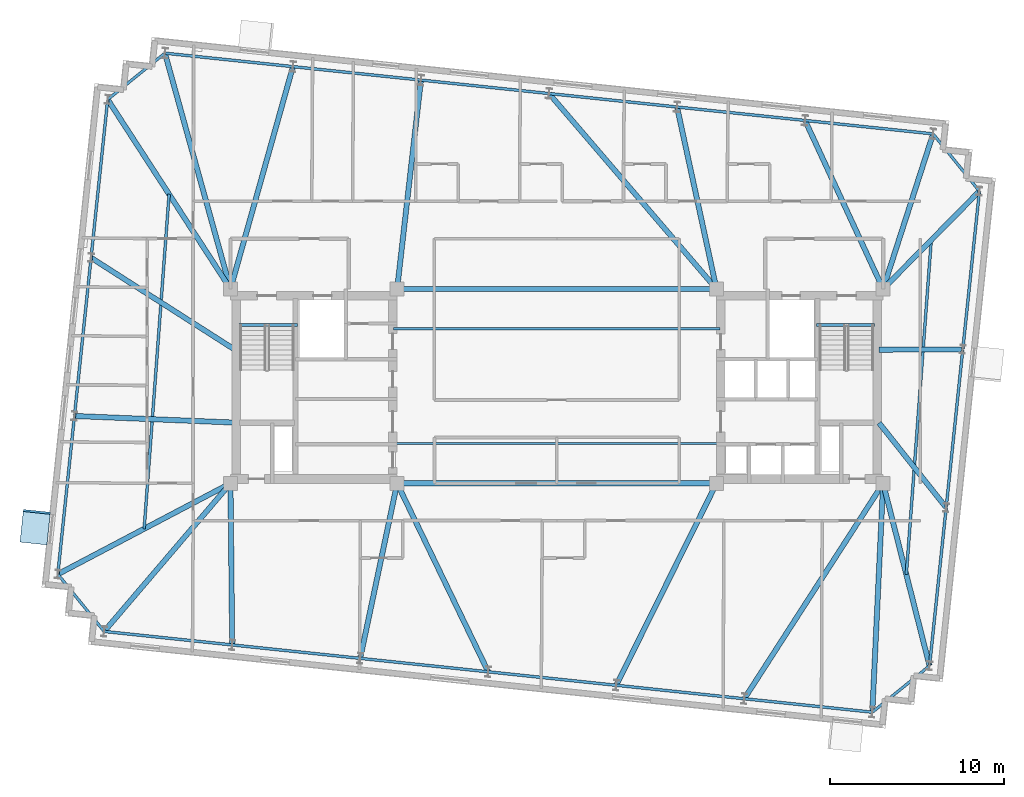
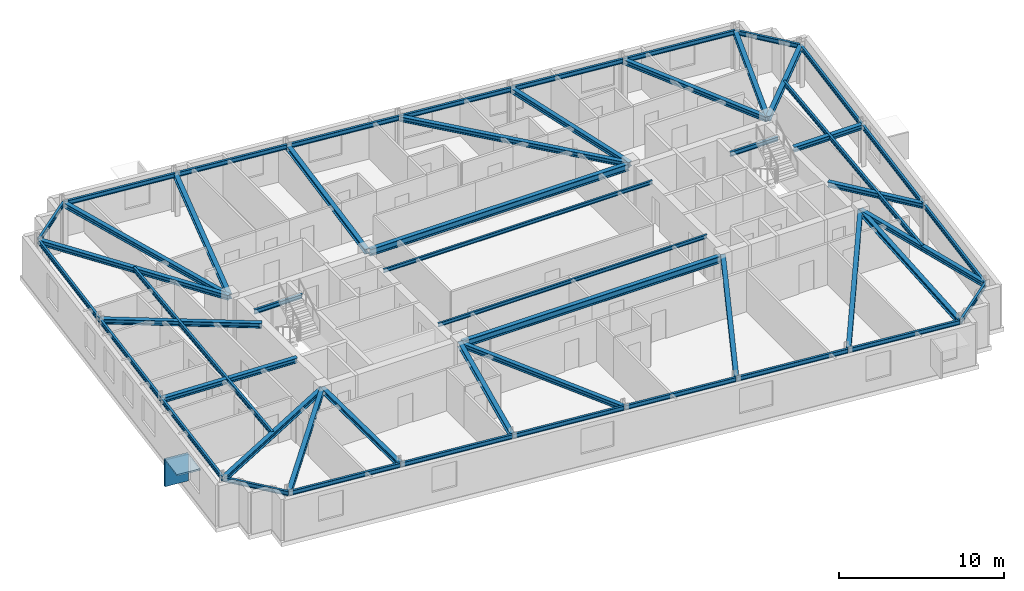
# One storey, part 4 of 13: 52 beams, 2 plates.
"""IFC4 building model written with IfcOpenShell, lengths in metres."""

from ifc_helpers import new_model, si_unit, direction, frame, origin, origin_2d, place, context, subcontext, project, spatial, rectangle, i_section, extrude, material, layer, layer_set, material_profile, profile_set, type_object, element, save


model = new_model("IFC4")

# Units and contexts
model_context = context("Model", 3, precision=1e-05, world=origin(), true_north=direction((0.0, 1.0)))
body_context = subcontext(model_context, "Body", "Model", "MODEL_VIEW")
ifc_project = project(units=[si_unit("LENGTHUNIT", "METRE"), si_unit("AREAUNIT", "SQUARE_METRE"), si_unit("VOLUMEUNIT", "CUBIC_METRE"), si_unit("PLANEANGLEUNIT", "RADIAN"), si_unit("MASSUNIT", "GRAM", prefix="KILO")], contexts=[model_context])

# Site, building, storey
site_placement = place(None, origin())
site = spatial("IfcSite", under=ifc_project, at=site_placement, CompositionType="ELEMENT")
building_placement = place(site_placement, origin())
building = spatial("IfcBuilding", under=site, at=building_placement, Name="Qobustan Lattice House", CompositionType="ELEMENT")
storey_placement = place(building_placement, frame((0.0, 0.0, 186.35009765625)))
storey = spatial("IfcBuildingStorey", under=building, at=storey_placement, Name="L52", CompositionType="ELEMENT", Elevation=186.35009765625)

# Beams
ifc_material_1 = material(Name="Steel S355", Category="steel")
ifc_material_profile_1 = material_profile(ifc_material_1, i_section(OverallWidth=0.300048828125, OverallDepth=0.5, WebThickness=0.014404296875, FlangeThickness=0.028076171875, FilletRadius=0.027099609375, at=origin_2d()), Name="HEB500")
ifc_profile_set_1 = profile_set([ifc_material_profile_1], Name="Steel S355")
beam_type_1 = type_object("IfcBeamType", Name="BM-CG-HEB500", PredefinedType="USERDEFINED", material=ifc_profile_set_1)
for number, where, z_axis, x_axis, name in (
    (1, (-9.050048828125, -5.60009765625, 2.789794921875), (1.0, 0.0, 0.0), (0.0, 1.0, 0.0), "L52 core spine girder CG-CS"),
    (2, (-9.050048828125, 5.60009765625, 2.789794921875), (1.0, 0.0, 0.0), (0.0, 1.0, 0.0), "L52 core spine girder CG-CN"),
):
    element("IfcBeam", number, at=place(storey_placement, frame(where, z_axis=z_axis, x_axis=x_axis)), inside=storey, type_object=beam_type_1, Name=name, ObjectType="GIRDER", PredefinedType="USERDEFINED", context=body_context, shape_type="SweptSolid", body=[
        extrude(i_section(OverallWidth=0.300048828125, OverallDepth=0.5, WebThickness=0.014404296875, FlangeThickness=0.028076171875, FilletRadius=0.027099609375, at=origin_2d()), origin(), (0.0, 0.0, 1.0), 18.10009765625),
    ])
ifc_material_2 = material(Name="Steel S355", Category="steel")
ifc_material_profile_2 = material_profile(ifc_material_2, i_section(OverallWidth=0.300048828125, OverallDepth=0.360107421875, WebThickness=0.012451171875, FlangeThickness=0.0224609375, FilletRadius=0.027099609375, at=origin_2d()), Name="HEB360")
ifc_profile_set_2 = profile_set([ifc_material_profile_2], Name="Steel S355")
beam_type_2 = type_object("IfcBeamType", Name="BM-FLG-HEB360", PredefinedType="USERDEFINED", material=ifc_profile_set_2)
beam_1_placement = place(storey_placement, frame((-26.062744140625, -14.113525390625, 2.85986328125), z_axis=(0.649006911642, 0.760782510736, 0.0), x_axis=(-0.760782510736, 0.649006911642, 0.0)))
element("IfcBeam", 3, at=beam_1_placement, inside=storey, type_object=beam_type_2, Name="L52 primary floor girder RAD-S1W", ObjectType="GIRDER", PredefinedType="USERDEFINED", context=body_context, shape_type="SweptSolid", body=[
    extrude(i_section(OverallWidth=0.300048828125, OverallDepth=0.360107421875, WebThickness=0.012451171875, FlangeThickness=0.0224609375, FilletRadius=0.027099609375, at=origin_2d()), origin(), (0.0, 0.0, 1.0), 11.16552734375),
])
beam_2_placement = place(storey_placement, frame((-18.703125, -14.8828125, 2.85986328125), z_axis=(-0.010442468578, 0.999945475939, 0.0), x_axis=(-0.999945475939, -0.010442468578, 0.0)))
element("IfcBeam", 4, at=beam_2_placement, inside=storey, type_object=beam_type_2, Name="L52 primary floor girder RAD-S2", ObjectType="GIRDER", PredefinedType="USERDEFINED", context=body_context, shape_type="SweptSolid", body=[
    extrude(i_section(OverallWidth=0.300048828125, OverallDepth=0.360107421875, WebThickness=0.012451171875, FlangeThickness=0.0224609375, FilletRadius=0.027099609375, at=origin_2d()), origin(), (0.0, 0.0, 1.0), 9.25830078125),
])
beam_3_placement = place(storey_placement, frame((-11.32177734375, -15.658447265625, 2.85986328125), z_axis=(0.206411213198, 0.978465334627, 0.0), x_axis=(-0.978465334627, 0.206411213198, 0.0)))
element("IfcBeam", 5, at=beam_3_placement, inside=storey, type_object=beam_type_2, Name="L52 primary floor girder RAD-S3", ObjectType="GIRDER", PredefinedType="USERDEFINED", context=body_context, shape_type="SweptSolid", body=[
    extrude(i_section(OverallWidth=0.300048828125, OverallDepth=0.360107421875, WebThickness=0.012451171875, FlangeThickness=0.0224609375, FilletRadius=0.027099609375, at=origin_2d()), origin(), (0.0, 0.0, 1.0), 10.2548828125),
])
beam_4_placement = place(storey_placement, frame((-3.9619140625, -16.435791015625, 2.85986328125), z_axis=(-0.435229353302, 0.900319615483, 0.0), x_axis=(-0.900319615483, -0.435229353302, 0.0)))
element("IfcBeam", 6, at=beam_4_placement, inside=storey, type_object=beam_type_2, Name="L52 primary floor girder RAD-S4", ObjectType="GIRDER", PredefinedType="USERDEFINED", context=body_context, shape_type="SweptSolid", body=[
    extrude(i_section(OverallWidth=0.300048828125, OverallDepth=0.360107421875, WebThickness=0.012451171875, FlangeThickness=0.0224609375, FilletRadius=0.027099609375, at=origin_2d()), origin(), (0.0, 0.0, 1.0), 12.010498046875),
])
beam_5_placement = place(storey_placement, frame((3.436279296875, -17.211181640625, 2.85986328125), z_axis=(0.444630337125, 0.895714163843, 0.0), x_axis=(-0.895714163843, 0.444630337125, 0.0)))
element("IfcBeam", 7, at=beam_5_placement, inside=storey, type_object=beam_type_2, Name="L52 primary floor girder RAD-S5", ObjectType="GIRDER", PredefinedType="USERDEFINED", context=body_context, shape_type="SweptSolid", body=[
    extrude(i_section(OverallWidth=0.300048828125, OverallDepth=0.360107421875, WebThickness=0.012451171875, FlangeThickness=0.0224609375, FilletRadius=0.027099609375, at=origin_2d()), origin(), (0.0, 0.0, 1.0), 12.938232421875),
])
beam_6_placement = place(storey_placement, frame((10.814697265625, -17.98779296875, 2.85986328125), z_axis=(0.541810491961, 0.840500678644, 0.0), x_axis=(-0.840500678644, 0.541810491961, 0.0)))
element("IfcBeam", 8, at=beam_6_placement, inside=storey, type_object=beam_type_2, Name="L52 primary floor girder RAD-S6", ObjectType="GIRDER", PredefinedType="USERDEFINED", context=body_context, shape_type="SweptSolid", body=[
    extrude(i_section(OverallWidth=0.300048828125, OverallDepth=0.360107421875, WebThickness=0.012451171875, FlangeThickness=0.0224609375, FilletRadius=0.027099609375, at=origin_2d()), origin(), (0.0, 0.0, 1.0), 14.71337890625),
])
beam_7_placement = place(storey_placement, frame((18.178466796875, -18.759033203125, 2.85986328125), z_axis=(0.047180517312, 0.998886379318, 0.0), x_axis=(-0.998886379318, 0.047180517312, 0.0)))
element("IfcBeam", 9, at=beam_7_placement, inside=storey, type_object=beam_type_2, Name="L52 primary floor girder RAD-S7E", ObjectType="GIRDER", PredefinedType="USERDEFINED", context=body_context, shape_type="SweptSolid", body=[
    extrude(i_section(OverallWidth=0.300048828125, OverallDepth=0.360107421875, WebThickness=0.012451171875, FlangeThickness=0.0224609375, FilletRadius=0.027099609375, at=origin_2d()), origin(), (0.0, 0.0, 1.0), 13.148681640625),
])
beam_8_placement = place(storey_placement, frame((-22.570556640625, 19.159912109375, 2.85986328125), z_axis=(0.267904661715, -0.963445427739, 0.0), x_axis=(0.963445427739, 0.267904661715, 0.0)))
element("IfcBeam", 10, at=beam_8_placement, inside=storey, type_object=beam_type_2, Name="L52 primary floor girder RAD-N7W", ObjectType="GIRDER", PredefinedType="USERDEFINED", context=body_context, shape_type="SweptSolid", body=[
    extrude(i_section(OverallWidth=0.300048828125, OverallDepth=0.360107421875, WebThickness=0.012451171875, FlangeThickness=0.0224609375, FilletRadius=0.027099609375, at=origin_2d()), origin(), (0.0, 0.0, 1.0), 14.049560546875),
])
beam_9_placement = place(storey_placement, frame((-15.2080078125, 18.384521484375, 2.85986328125), z_axis=(-0.270487929903, -0.962723366174, 0.0), x_axis=(0.962723366174, -0.270487929903, 0.0)))
element("IfcBeam", 11, at=beam_9_placement, inside=storey, type_object=beam_type_2, Name="L52 primary floor girder RAD-N6", ObjectType="GIRDER", PredefinedType="USERDEFINED", context=body_context, shape_type="SweptSolid", body=[
    extrude(i_section(OverallWidth=0.300048828125, OverallDepth=0.360107421875, WebThickness=0.012451171875, FlangeThickness=0.0224609375, FilletRadius=0.027099609375, at=origin_2d()), origin(), (0.0, 0.0, 1.0), 13.254638671875),
])
beam_10_placement = place(storey_placement, frame((-7.827880859375, 17.608642578125, 2.85986328125), z_axis=(-0.11353003651, -0.993534564477, 0.0), x_axis=(0.993534564477, -0.11353003651, 0.0)))
element("IfcBeam", 12, at=beam_10_placement, inside=storey, type_object=beam_type_2, Name="L52 primary floor girder RAD-N5", ObjectType="GIRDER", PredefinedType="USERDEFINED", context=body_context, shape_type="SweptSolid", body=[
    extrude(i_section(OverallWidth=0.300048828125, OverallDepth=0.360107421875, WebThickness=0.012451171875, FlangeThickness=0.0224609375, FilletRadius=0.027099609375, at=origin_2d()), origin(), (0.0, 0.0, 1.0), 12.061767578125),
])
beam_11_placement = place(storey_placement, frame((-0.432861328125, 16.839111328125, 2.85986328125), z_axis=(0.650757358368, -0.759285756833, 0.0), x_axis=(0.759285756833, 0.650757358368, 0.0)))
element("IfcBeam", 13, at=beam_11_placement, inside=storey, type_object=beam_type_2, Name="L52 primary floor girder RAD-N4", ObjectType="GIRDER", PredefinedType="USERDEFINED", context=body_context, shape_type="SweptSolid", body=[
    extrude(i_section(OverallWidth=0.300048828125, OverallDepth=0.360107421875, WebThickness=0.012451171875, FlangeThickness=0.0224609375, FilletRadius=0.027099609375, at=origin_2d()), origin(), (0.0, 0.0, 1.0), 14.77734375),
])
beam_12_placement = place(storey_placement, frame((6.93212890625, 16.05859375, 2.85986328125), z_axis=(0.211908420044, -0.977289527988, 0.0), x_axis=(0.977289527988, 0.211908420044, 0.0)))
element("IfcBeam", 14, at=beam_12_placement, inside=storey, type_object=beam_type_2, Name="L52 primary floor girder RAD-N3", ObjectType="GIRDER", PredefinedType="USERDEFINED", context=body_context, shape_type="SweptSolid", body=[
    extrude(i_section(OverallWidth=0.300048828125, OverallDepth=0.360107421875, WebThickness=0.012451171875, FlangeThickness=0.0224609375, FilletRadius=0.027099609375, at=origin_2d()), origin(), (0.0, 0.0, 1.0), 10.676513671875),
])
beam_13_placement = place(storey_placement, frame((14.3134765625, 15.284912109375, 2.85986328125), z_axis=(0.420345924661, -0.907363931188, 0.0), x_axis=(0.907363931188, 0.420345924661, 0.0)))
element("IfcBeam", 15, at=beam_13_placement, inside=storey, type_object=beam_type_2, Name="L52 primary floor girder RAD-N2", ObjectType="GIRDER", PredefinedType="USERDEFINED", context=body_context, shape_type="SweptSolid", body=[
    extrude(i_section(OverallWidth=0.300048828125, OverallDepth=0.360107421875, WebThickness=0.012451171875, FlangeThickness=0.0224609375, FilletRadius=0.027099609375, at=origin_2d()), origin(), (0.0, 0.0, 1.0), 10.6484375),
])
beam_14_placement = place(storey_placement, frame((21.67138671875, 14.5087890625, 2.85986328125), z_axis=(-0.306773532579, -0.951782538035, 0.0), x_axis=(0.951782538035, -0.306773532579, 0.0)))
element("IfcBeam", 16, at=beam_14_placement, inside=storey, type_object=beam_type_2, Name="L52 primary floor girder RAD-N1E", ObjectType="GIRDER", PredefinedType="USERDEFINED", context=body_context, shape_type="SweptSolid", body=[
    extrude(i_section(OverallWidth=0.300048828125, OverallDepth=0.360107421875, WebThickness=0.012451171875, FlangeThickness=0.0224609375, FilletRadius=0.027099609375, at=origin_2d()), origin(), (0.0, 0.0, 1.0), 9.335205078125),
])
beam_15_placement = place(storey_placement, frame((-25.86083984375, 16.492919921875, 2.85986328125), z_axis=(0.543926170046, -0.839133077371, 0.0), x_axis=(0.839133077371, 0.543926170046, 0.0)))
element("IfcBeam", 17, at=beam_15_placement, inside=storey, type_object=beam_type_2, Name="L52 primary floor girder RAD-W1", ObjectType="GIRDER", PredefinedType="USERDEFINED", context=body_context, shape_type="SweptSolid", body=[
    extrude(i_section(OverallWidth=0.300048828125, OverallDepth=0.360107421875, WebThickness=0.012451171875, FlangeThickness=0.0224609375, FilletRadius=0.027099609375, at=origin_2d()), origin(), (0.0, 0.0, 1.0), 12.9560546875),
])
beam_16_placement = place(storey_placement, frame((-26.8115234375, 7.384033203125, 2.85986328125), z_axis=(0.842429105495, -0.538807203195, 0.0), x_axis=(0.538807203195, 0.842429105495, 0.0)))
element("IfcBeam", 18, at=beam_16_placement, inside=storey, type_object=beam_type_2, Name="L52 primary floor girder RAD-W2", ObjectType="GIRDER", PredefinedType="USERDEFINED", context=body_context, shape_type="SweptSolid", body=[
    extrude(i_section(OverallWidth=0.300048828125, OverallDepth=0.360107421875, WebThickness=0.012451171875, FlangeThickness=0.0224609375, FilletRadius=0.027099609375, at=origin_2d()), origin(), (0.0, 0.0, 1.0), 9.78173828125),
])
beam_17_placement = place(storey_placement, frame((-27.765869140625, -1.719970703125, 2.85986328125), z_axis=(0.999150190925, -0.041217665795, 0.0), x_axis=(0.041217665795, 0.999150190925, 0.0)))
element("IfcBeam", 19, at=beam_17_placement, inside=storey, type_object=beam_type_2, Name="L52 primary floor girder RAD-W3", ObjectType="GIRDER", PredefinedType="USERDEFINED", context=body_context, shape_type="SweptSolid", body=[
    extrude(i_section(OverallWidth=0.300048828125, OverallDepth=0.360107421875, WebThickness=0.012451171875, FlangeThickness=0.0224609375, FilletRadius=0.027099609375, at=origin_2d()), origin(), (0.0, 0.0, 1.0), 9.19873046875),
])
beam_18_placement = place(storey_placement, frame((-28.726806640625, -10.82373046875, 2.85986328125), z_axis=(0.884950868639, 0.465684399669, 0.0), x_axis=(-0.465684399669, 0.884950868639, 0.0)))
element("IfcBeam", 20, at=beam_18_placement, inside=storey, type_object=beam_type_2, Name="L52 primary floor girder RAD-W4", ObjectType="GIRDER", PredefinedType="USERDEFINED", context=body_context, shape_type="SweptSolid", body=[
    extrude(i_section(OverallWidth=0.300048828125, OverallDepth=0.360107421875, WebThickness=0.012451171875, FlangeThickness=0.0224609375, FilletRadius=0.027099609375, at=origin_2d()), origin(), (0.0, 0.0, 1.0), 11.1923828125),
])
beam_19_placement = place(storey_placement, frame((24.331298828125, 11.217529296875, 2.85986328125), z_axis=(-0.701633616284, -0.712537906712, 0.0), x_axis=(0.712537906712, -0.701633616284, 0.0)))
element("IfcBeam", 21, at=beam_19_placement, inside=storey, type_object=beam_type_2, Name="L52 primary floor girder RAD-E4", ObjectType="GIRDER", PredefinedType="USERDEFINED", context=body_context, shape_type="SweptSolid", body=[
    extrude(i_section(OverallWidth=0.300048828125, OverallDepth=0.360107421875, WebThickness=0.012451171875, FlangeThickness=0.0224609375, FilletRadius=0.027099609375, at=origin_2d()), origin(), (0.0, 0.0, 1.0), 7.858642578125),
])
beam_20_placement = place(storey_placement, frame((23.36572265625, 2.118896484375, 2.85986328125), z_axis=(-0.999992301331, -0.003923936564, 0.0), x_axis=(0.003923936564, -0.999992301331, 0.0)))
element("IfcBeam", 22, at=beam_20_placement, inside=storey, type_object=beam_type_2, Name="L52 primary floor girder RAD-E3", ObjectType="GIRDER", PredefinedType="USERDEFINED", context=body_context, shape_type="SweptSolid", body=[
    extrude(i_section(OverallWidth=0.300048828125, OverallDepth=0.360107421875, WebThickness=0.012451171875, FlangeThickness=0.0224609375, FilletRadius=0.027099609375, at=origin_2d()), origin(), (0.0, 0.0, 1.0), 4.790771484375),
])
beam_21_placement = place(storey_placement, frame((22.4169921875, -6.97802734375, 2.85986328125), z_axis=(-0.621231320857, 0.783627236629, 0.0), x_axis=(-0.783627236629, -0.621231320857, 0.0)))
element("IfcBeam", 23, at=beam_21_placement, inside=storey, type_object=beam_type_2, Name="L52 primary floor girder RAD-E2", ObjectType="GIRDER", PredefinedType="USERDEFINED", context=body_context, shape_type="SweptSolid", body=[
    extrude(i_section(OverallWidth=0.300048828125, OverallDepth=0.360107421875, WebThickness=0.012451171875, FlangeThickness=0.0224609375, FilletRadius=0.027099609375, at=origin_2d()), origin(), (0.0, 0.0, 1.0), 6.199951171875),
])
beam_22_placement = place(storey_placement, frame((21.46826171875, -16.08984375, 2.85986328125), z_axis=(-0.246517911643, 0.969138235361, 0.0), x_axis=(-0.969138235361, -0.246517911643, 0.0)))
element("IfcBeam", 24, at=beam_22_placement, inside=storey, type_object=beam_type_2, Name="L52 primary floor girder RAD-E1", ObjectType="GIRDER", PredefinedType="USERDEFINED", context=body_context, shape_type="SweptSolid", body=[
    extrude(i_section(OverallWidth=0.300048828125, OverallDepth=0.360107421875, WebThickness=0.012451171875, FlangeThickness=0.0224609375, FilletRadius=0.027099609375, at=origin_2d()), origin(), (0.0, 0.0, 1.0), 10.798828125),
])
ifc_material_3 = material(Name="Steel S355", Category="steel")
ifc_material_profile_3 = material_profile(ifc_material_3, i_section(OverallWidth=0.135009765625, OverallDepth=0.27001953125, WebThickness=0.006591796875, FlangeThickness=0.01025390625, FilletRadius=0.014892578125, at=origin_2d()), Name="IPE270")
ifc_profile_set_3 = profile_set([ifc_material_profile_3], Name="Steel S355")
beam_type_3 = type_object("IfcBeamType", Name="BM-JST-IPE270", PredefinedType="JOIST", material=ifc_profile_set_3)
for number, where, z_axis, x_axis, name in (
    (25, (-9.39990234375, -3.300048828125, 2.90478515625), (1.0, 0.0, 0.0), (0.0, 1.0, 0.0), "L52 central span floor joist 1"),
    (26, (-9.39990234375, 3.300048828125, 2.90478515625), (1.0, 0.0, 0.0), (0.0, 1.0, 0.0), "L52 central span floor joist 2"),
):
    element("IfcBeam", number, at=place(storey_placement, frame(where, z_axis=z_axis, x_axis=x_axis)), inside=storey, type_object=beam_type_3, Name=name, PredefinedType="JOIST", context=body_context, shape_type="SweptSolid", body=[
        extrude(i_section(OverallWidth=0.135009765625, OverallDepth=0.27001953125, WebThickness=0.006591796875, FlangeThickness=0.01025390625, FilletRadius=0.014892578125, at=origin_2d()), origin(), (0.0, 0.0, 1.0), 18.7998046875),
    ])
ifc_material_4 = material(Name="Steel S355", Category="steel")
ifc_material_profile_4 = material_profile(ifc_material_4, i_section(OverallWidth=0.159912109375, OverallDepth=0.330078125, WebThickness=0.007568359375, FlangeThickness=0.011474609375, FilletRadius=0.01806640625, at=origin_2d()), Name="IPE330")
ifc_profile_set_4 = profile_set([ifc_material_profile_4], Name="Steel S355")
beam_type_4 = type_object("IfcBeamType", Name="BM-SEC-IPE330", PredefinedType="BEAM", material=ifc_profile_set_4)
beam_23_placement = place(storey_placement, frame((-22.337158203125, 11.056884765625, 2.875), z_axis=(-0.074361616657, -0.997231342251, 0.0), x_axis=(0.997231342251, -0.074361616657, 0.0)))
element("IfcBeam", 27, at=beam_23_placement, inside=storey, type_object=beam_type_4, Name="L52 west wing secondary beam", PredefinedType="BEAM", context=body_context, shape_type="SweptSolid", body=[
    extrude(i_section(OverallWidth=0.159912109375, OverallDepth=0.330078125, WebThickness=0.007568359375, FlangeThickness=0.011474609375, FilletRadius=0.01806640625, at=origin_2d()), origin(), (0.0, 0.0, 1.0), 19.327880859375),
])
beam_24_placement = place(storey_placement, frame((21.574462890625, 8.417724609375, 2.875), z_axis=(-0.074360679971, -0.997231412098, 0.0), x_axis=(0.997231412098, -0.074360679971, 0.0)))
element("IfcBeam", 28, at=beam_24_placement, inside=storey, type_object=beam_type_4, Name="L52 east wing secondary beam", PredefinedType="BEAM", context=body_context, shape_type="SweptSolid", body=[
    extrude(i_section(OverallWidth=0.159912109375, OverallDepth=0.330078125, WebThickness=0.007568359375, FlangeThickness=0.011474609375, FilletRadius=0.01806640625, at=origin_2d()), origin(), (0.0, 0.0, 1.0), 19.328125),
])
ifc_material_5 = material(Name="Steel S355", Category="steel")
ifc_material_profile_5 = material_profile(ifc_material_5, i_section(OverallWidth=0.159912109375, OverallDepth=0.330078125, WebThickness=0.007568359375, FlangeThickness=0.011474609375, FilletRadius=0.01806640625, at=origin_2d()), Name="IPE330")
ifc_profile_set_5 = profile_set([ifc_material_profile_5], Name="Steel S355")
beam_type_5 = type_object("IfcBeamType", Name="BM-SPD-IPE330", PredefinedType="SPANDREL", material=ifc_profile_set_5)
for number, where, z_axis, x_axis, name in (
    (29, (-18.300048828125, 3.52001953125, 2.875), (1.0, 0.0, 0.0), (0.0, 1.0, 0.0), "L52 west stair landing trimmer beam"),
    (30, (14.949951171875, 3.52001953125, 2.875), (1.0, 0.0, 0.0), (0.0, 1.0, 0.0), "L52 east stair landing trimmer beam"),
):
    element("IfcBeam", number, at=place(storey_placement, frame(where, z_axis=z_axis, x_axis=x_axis)), inside=storey, type_object=beam_type_5, Name=name, PredefinedType="SPANDREL", context=body_context, shape_type="SweptSolid", body=[
        extrude(i_section(OverallWidth=0.159912109375, OverallDepth=0.330078125, WebThickness=0.007568359375, FlangeThickness=0.011474609375, FilletRadius=0.01806640625, at=origin_2d()), origin(), (0.0, 0.0, 1.0), 3.35009765625),
    ])
beam_25_placement = place(storey_placement, frame((-26.05419921875, -14.135009765625, 2.875), z_axis=(0.99452214685, -0.104526070551, 0.0), x_axis=(0.104526070551, 0.99452214685, 0.0)))
element("IfcBeam", 31, at=beam_25_placement, inside=storey, type_object=beam_type_5, Name="L52 perimeter spandrel S1-S2", PredefinedType="SPANDREL", context=body_context, shape_type="SweptSolid", body=[
    extrude(i_section(OverallWidth=0.159912109375, OverallDepth=0.330078125, WebThickness=0.007568359375, FlangeThickness=0.011474609375, FilletRadius=0.01806640625, at=origin_2d()), origin(), (0.0, 0.0, 1.0), 7.36669921875),
])
for number, where, z_axis, x_axis, name in (
    (32, (-18.677978515625, -14.910400390625, 2.875), (0.994521784746, -0.104529515765, 0.0), (0.104529515765, 0.994521784746, 0.0), "L52 perimeter spandrel S2-S3"),
    (33, (-11.302001953125, -15.685546875, 2.875), (0.994521784746, -0.104529515765, 0.0), (0.104529515765, 0.994521784746, 0.0), "L52 perimeter spandrel S3-S4"),
):
    element("IfcBeam", number, at=place(storey_placement, frame(where, z_axis=z_axis, x_axis=x_axis)), inside=storey, type_object=beam_type_5, Name=name, PredefinedType="SPANDREL", context=body_context, shape_type="SweptSolid", body=[
        extrude(i_section(OverallWidth=0.159912109375, OverallDepth=0.330078125, WebThickness=0.007568359375, FlangeThickness=0.011474609375, FilletRadius=0.01806640625, at=origin_2d()), origin(), (0.0, 0.0, 1.0), 7.366455078125),
    ])
beam_26_placement = place(storey_placement, frame((-3.926025390625, -16.460693359375, 2.875), z_axis=(0.99451870122, -0.10455884909, 0.0), x_axis=(0.10455884909, 0.99451870122, 0.0)))
element("IfcBeam", 34, at=beam_26_placement, inside=storey, type_object=beam_type_5, Name="L52 perimeter spandrel S4-S5", PredefinedType="SPANDREL", context=body_context, shape_type="SweptSolid", body=[
    extrude(i_section(OverallWidth=0.159912109375, OverallDepth=0.330078125, WebThickness=0.007568359375, FlangeThickness=0.011474609375, FilletRadius=0.01806640625, at=origin_2d()), origin(), (0.0, 0.0, 1.0), 7.36669921875),
])
for number, where, z_axis, x_axis, name in (
    (35, (3.4501953125, -17.236083984375, 2.875), (0.994521784746, -0.104529515765, 0.0), (0.104529515765, 0.994521784746, 0.0), "L52 perimeter spandrel S5-S6"),
    (36, (10.826171875, -18.01123046875, 2.875), (0.99451833889, -0.104562295361, 0.0), (0.104562295361, 0.99451833889, 0.0), "L52 perimeter spandrel S6-S7"),
):
    element("IfcBeam", number, at=place(storey_placement, frame(where, z_axis=z_axis, x_axis=x_axis)), inside=storey, type_object=beam_type_5, Name=name, PredefinedType="SPANDREL", context=body_context, shape_type="SweptSolid", body=[
        extrude(i_section(OverallWidth=0.159912109375, OverallDepth=0.330078125, WebThickness=0.007568359375, FlangeThickness=0.011474609375, FilletRadius=0.01806640625, at=origin_2d()), origin(), (0.0, 0.0, 1.0), 7.366455078125),
    ])
beam_27_placement = place(storey_placement, frame((18.19677734375, -18.768310546875, 2.875), z_axis=(0.777128239225, 0.629342275554, 0.0), x_axis=(-0.629342275554, 0.777128239225, 0.0)))
element("IfcBeam", 37, at=beam_27_placement, inside=storey, type_object=beam_type_5, Name="L52 perimeter spandrel S7-E1", PredefinedType="SPANDREL", context=body_context, shape_type="SweptSolid", body=[
    extrude(i_section(OverallWidth=0.159912109375, OverallDepth=0.330078125, WebThickness=0.007568359375, FlangeThickness=0.011474609375, FilletRadius=0.01806640625, at=origin_2d()), origin(), (0.0, 0.0, 1.0), 4.192626953125),
])
for number, where, z_axis, x_axis, name in (
    (38, (21.47705078125, -16.089111328125, 2.875), (0.10452168293, 0.994522607987, 0.0), (-0.994522607987, 0.10452168293, 0.0), "L52 perimeter spandrel E1-E2"),
    (39, (22.435302734375, -6.97265625, 2.875), (0.10452168293, 0.994522607987, 0.0), (-0.994522607987, 0.10452168293, 0.0), "L52 perimeter spandrel E2-E3"),
    (40, (23.393310546875, 2.143798828125, 2.875), (0.10452168293, 0.994522607987, 0.0), (-0.994522607987, 0.10452168293, 0.0), "L52 perimeter spandrel E3-E4"),
):
    element("IfcBeam", number, at=place(storey_placement, frame(where, z_axis=z_axis, x_axis=x_axis)), inside=storey, type_object=beam_type_5, Name=name, PredefinedType="SPANDREL", context=body_context, shape_type="SweptSolid", body=[
        extrude(i_section(OverallWidth=0.159912109375, OverallDepth=0.330078125, WebThickness=0.007568359375, FlangeThickness=0.011474609375, FilletRadius=0.01806640625, at=origin_2d()), origin(), (0.0, 0.0, 1.0), 9.11669921875),
    ])
beam_28_placement = place(storey_placement, frame((24.333251953125, 11.254638671875, 2.875), z_axis=(-0.629313797654, 0.777151300637, 0.0), x_axis=(-0.777151300637, -0.629313797654, 0.0)))
element("IfcBeam", 41, at=beam_28_placement, inside=storey, type_object=beam_type_5, Name="L52 perimeter spandrel E4-N1", PredefinedType="SPANDREL", context=body_context, shape_type="SweptSolid", body=[
    extrude(i_section(OverallWidth=0.159912109375, OverallDepth=0.330078125, WebThickness=0.007568359375, FlangeThickness=0.011474609375, FilletRadius=0.01806640625, at=origin_2d()), origin(), (0.0, 0.0, 1.0), 4.19287109375),
])
for number, where, z_axis, x_axis, name in (
    (42, (21.654052734375, 14.53515625, 2.875), (-0.994521784746, 0.104529515765, 0.0), (-0.104529515765, -0.994521784746, 0.0), "L52 perimeter spandrel N1-N2"),
    (43, (14.278076171875, 15.310302734375, 2.875), (-0.994521784746, 0.104529515765, 0.0), (-0.104529515765, -0.994521784746, 0.0), "L52 perimeter spandrel N2-N3"),
):
    element("IfcBeam", number, at=place(storey_placement, frame(where, z_axis=z_axis, x_axis=x_axis)), inside=storey, type_object=beam_type_5, Name=name, PredefinedType="SPANDREL", context=body_context, shape_type="SweptSolid", body=[
        extrude(i_section(OverallWidth=0.159912109375, OverallDepth=0.330078125, WebThickness=0.007568359375, FlangeThickness=0.011474609375, FilletRadius=0.01806640625, at=origin_2d()), origin(), (0.0, 0.0, 1.0), 7.366455078125),
    ])
beam_29_placement = place(storey_placement, frame((6.902099609375, 16.085693359375, 2.875), z_axis=(-0.99452214685, 0.104526070551, 0.0), x_axis=(-0.104526070551, -0.99452214685, 0.0)))
element("IfcBeam", 44, at=beam_29_placement, inside=storey, type_object=beam_type_5, Name="L52 perimeter spandrel N3-N4", PredefinedType="SPANDREL", context=body_context, shape_type="SweptSolid", body=[
    extrude(i_section(OverallWidth=0.159912109375, OverallDepth=0.330078125, WebThickness=0.007568359375, FlangeThickness=0.011474609375, FilletRadius=0.01806640625, at=origin_2d()), origin(), (0.0, 0.0, 1.0), 7.36669921875),
])
for number, where, z_axis, x_axis, name in (
    (45, (-0.47412109375, 16.86083984375, 2.875), (-0.994521784746, 0.104529515765, 0.0), (-0.104529515765, -0.994521784746, 0.0), "L52 perimeter spandrel N4-N5"),
    (46, (-7.85009765625, 17.635986328125, 2.875), (-0.994521784746, 0.104529515765, 0.0), (-0.104529515765, -0.994521784746, 0.0), "L52 perimeter spandrel N5-N6"),
):
    element("IfcBeam", number, at=place(storey_placement, frame(where, z_axis=z_axis, x_axis=x_axis)), inside=storey, type_object=beam_type_5, Name=name, PredefinedType="SPANDREL", context=body_context, shape_type="SweptSolid", body=[
        extrude(i_section(OverallWidth=0.159912109375, OverallDepth=0.330078125, WebThickness=0.007568359375, FlangeThickness=0.011474609375, FilletRadius=0.01806640625, at=origin_2d()), origin(), (0.0, 0.0, 1.0), 7.366455078125),
    ])
beam_30_placement = place(storey_placement, frame((-15.22607421875, 18.411376953125, 2.875), z_axis=(-0.99452214685, 0.104526070551, 0.0), x_axis=(-0.104526070551, -0.99452214685, 0.0)))
element("IfcBeam", 47, at=beam_30_placement, inside=storey, type_object=beam_type_5, Name="L52 perimeter spandrel N6-N7", PredefinedType="SPANDREL", context=body_context, shape_type="SweptSolid", body=[
    extrude(i_section(OverallWidth=0.159912109375, OverallDepth=0.330078125, WebThickness=0.007568359375, FlangeThickness=0.011474609375, FilletRadius=0.01806640625, at=origin_2d()), origin(), (0.0, 0.0, 1.0), 7.36669921875),
])
beam_31_placement = place(storey_placement, frame((-22.5966796875, 19.168212890625, 2.875), z_axis=(-0.777156718239, -0.629307107299, 0.0), x_axis=(0.629307107299, -0.777156718239, 0.0)))
element("IfcBeam", 48, at=beam_31_placement, inside=storey, type_object=beam_type_5, Name="L52 perimeter spandrel N7-W1", PredefinedType="SPANDREL", context=body_context, shape_type="SweptSolid", body=[
    extrude(i_section(OverallWidth=0.159912109375, OverallDepth=0.330078125, WebThickness=0.007568359375, FlangeThickness=0.011474609375, FilletRadius=0.01806640625, at=origin_2d()), origin(), (0.0, 0.0, 1.0), 4.192626953125),
])
beam_32_placement = place(storey_placement, frame((-25.876953125, 16.489013671875, 2.875), z_axis=(-0.104550954592, -0.994519531178, 0.0), x_axis=(0.994519531178, -0.104550954592, 0.0)))
element("IfcBeam", 49, at=beam_32_placement, inside=storey, type_object=beam_type_5, Name="L52 perimeter spandrel W1-W2", PredefinedType="SPANDREL", context=body_context, shape_type="SweptSolid", body=[
    extrude(i_section(OverallWidth=0.159912109375, OverallDepth=0.330078125, WebThickness=0.007568359375, FlangeThickness=0.011474609375, FilletRadius=0.01806640625, at=origin_2d()), origin(), (0.0, 0.0, 1.0), 9.116455078125),
])
beam_33_placement = place(storey_placement, frame((-26.835205078125, 7.372802734375, 2.875), z_axis=(-0.104518899262, -0.994522900539, 0.0), x_axis=(0.994522900539, -0.104518899262, 0.0)))
element("IfcBeam", 50, at=beam_33_placement, inside=storey, type_object=beam_type_5, Name="L52 perimeter spandrel W2-W3", PredefinedType="SPANDREL", context=body_context, shape_type="SweptSolid", body=[
    extrude(i_section(OverallWidth=0.159912109375, OverallDepth=0.330078125, WebThickness=0.007568359375, FlangeThickness=0.011474609375, FilletRadius=0.01806640625, at=origin_2d()), origin(), (0.0, 0.0, 1.0), 9.116943359375),
])
beam_34_placement = place(storey_placement, frame((-27.79345703125, -1.743896484375, 2.875), z_axis=(-0.104524466745, -0.994522315412, 0.0), x_axis=(0.994522315412, -0.104524466745, 0.0)))
element("IfcBeam", 51, at=beam_34_placement, inside=storey, type_object=beam_type_5, Name="L52 perimeter spandrel W3-W4", PredefinedType="SPANDREL", context=body_context, shape_type="SweptSolid", body=[
    extrude(i_section(OverallWidth=0.159912109375, OverallDepth=0.330078125, WebThickness=0.007568359375, FlangeThickness=0.011474609375, FilletRadius=0.01806640625, at=origin_2d()), origin(), (0.0, 0.0, 1.0), 9.116455078125),
])
beam_35_placement = place(storey_placement, frame((-28.733154296875, -10.854736328125, 2.875), z_axis=(0.629307107299, -0.777156718239, 0.0), x_axis=(0.777156718239, 0.629307107299, 0.0)))
element("IfcBeam", 52, at=beam_35_placement, inside=storey, type_object=beam_type_5, Name="L52 perimeter spandrel W4-S1", PredefinedType="SPANDREL", context=body_context, shape_type="SweptSolid", body=[
    extrude(i_section(OverallWidth=0.159912109375, OverallDepth=0.330078125, WebThickness=0.007568359375, FlangeThickness=0.011474609375, FilletRadius=0.01806640625, at=origin_2d()), origin(), (0.0, 0.0, 1.0), 4.192626953125),
])

# Plates
ifc_material_6 = material(Name="Qobustan limestone GFRC", Category="masonry")
ifc_layer = layer(ifc_material_6, 0.1201171875)
ifc_layer_set = layer_set([ifc_layer], Name="Qobustan limestone GFRC")
plate_type = type_object("IfcPlateType", Name="SHD-HOOD-BROW", PredefinedType="USERDEFINED", material=ifc_layer_set)
plate_1_placement = place(storey_placement, frame((-30.052734375, -8.125244140625, 2.699951171875), z_axis=(0.0, 0.0, 1.0), x_axis=(0.104528463268, 0.994521895368, 0.0)))
element("IfcPlate", 53, at=plate_1_placement, inside=storey, type_object=plate_type, Name="L52 splayed Qobustan stone hood brow", ObjectType="SUNSHADE", PredefinedType="USERDEFINED", context=body_context, shape_type="SweptSolid", body=[
    extrude(rectangle(XDim=1.889892578125, YDim=1.56005859375, at=origin_2d()), origin(), (0.0, 0.0, 1.0), 0.1201171875),
])
plate_2_placement = place(storey_placement, frame((-29.960205078125, -7.2451171875, 0.7900390625), z_axis=(0.0, 0.0, 1.0), x_axis=(0.104528463268, 0.994521895368, 0.0)))
element("IfcPlate", 54, at=plate_2_placement, inside=storey, type_object=plate_type, Name="L52 splayed Qobustan stone hood cheek", ObjectType="SUNSHADE", PredefinedType="USERDEFINED", context=body_context, shape_type="SweptSolid", body=[
    extrude(rectangle(XDim=0.1201171875, YDim=1.56005859375, at=origin_2d()), origin(), (0.0, 0.0, 1.0), 1.969970703125),
])

save(model, "model.ifc")
